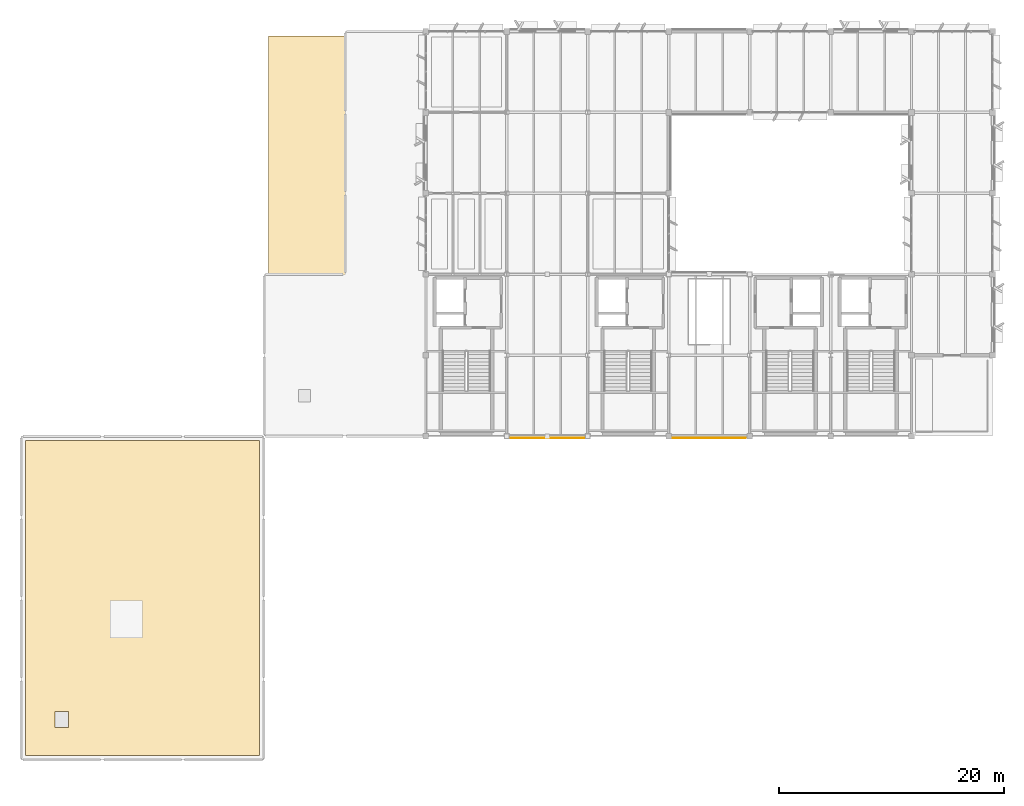
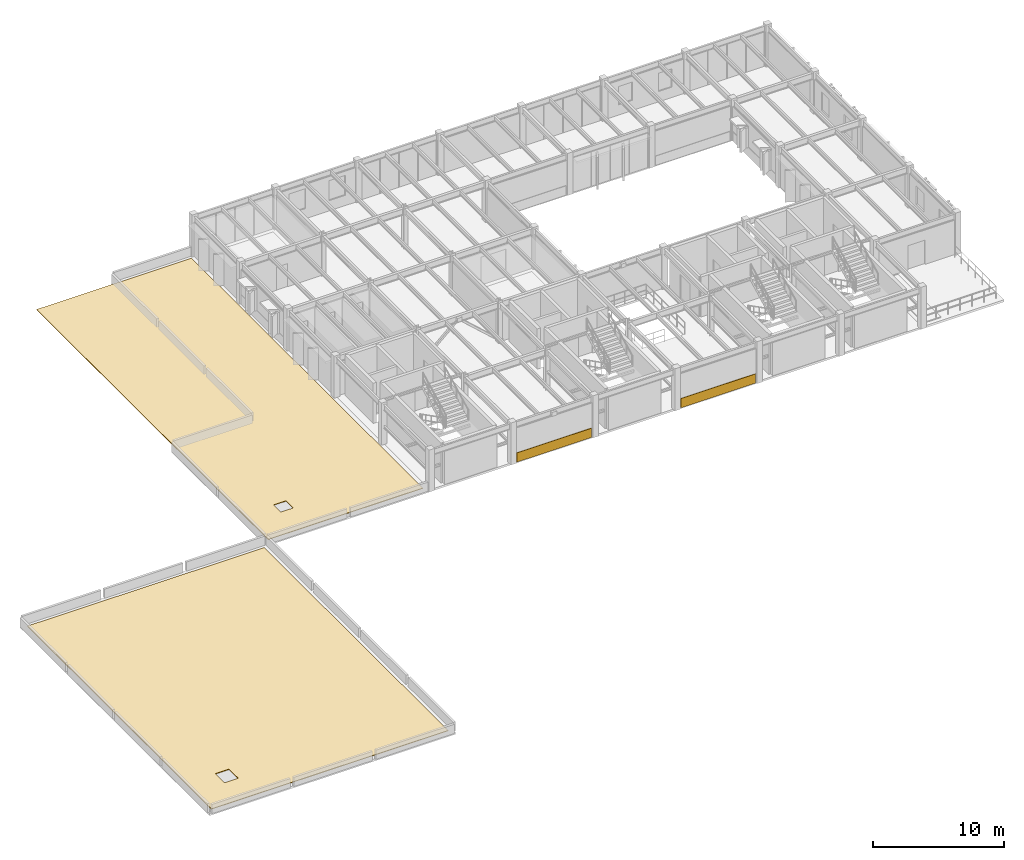
# One storey, part 19 of 23: 4 coverings.
"""IFC4 building model written with IfcOpenShell, lengths in metres."""

from ifc_helpers import new_model, si_unit, direction, frame, frame_2d, origin, place, context, subcontext, project, spatial, polyline, rectangle, outline, extrude, material, layer, layer_set, type_object, element, save


model = new_model("IFC4")

# Units and contexts
model_context = context("Model", 3, precision=1e-05, world=origin(), true_north=direction((0.0, 1.0)))
body_context = subcontext(model_context, "Body", "Model", "MODEL_VIEW")
ifc_project = project(units=[si_unit("LENGTHUNIT", "METRE"), si_unit("AREAUNIT", "SQUARE_METRE"), si_unit("VOLUMEUNIT", "CUBIC_METRE"), si_unit("PLANEANGLEUNIT", "RADIAN"), si_unit("MASSUNIT", "GRAM", prefix="KILO")], contexts=[model_context])

# Site, building, storey
site_placement = place(None, origin())
site = spatial("IfcSite", under=ifc_project, at=site_placement, CompositionType="ELEMENT")
building_placement = place(site_placement, origin())
building = spatial("IfcBuilding", under=site, at=building_placement, Name="Sillqori Civic Hall", CompositionType="ELEMENT")
storey_placement = place(building_placement, frame((0.0, 0.0, 21.89990234375)))
storey = spatial("IfcBuildingStorey", under=building, at=storey_placement, Name="L06", CompositionType="ELEMENT", Elevation=21.89990234375)

# Coverings
ifc_material_1 = material(Name="Cochabamba Honed Limestone Cladding", Category="masonry")
ifc_layer_1 = layer(ifc_material_1, 0.044921875)
ifc_layer_set_1 = layer_set([ifc_layer_1], Name="Cochabamba Honed Limestone Cladding")
covering_type_1 = type_object("IfcCoveringType", Name="COV-CLAD-LIME", PredefinedType="CLADDING", material=ifc_layer_set_1)
for number, where, z_axis, x_axis, name in (
    (1, (64.469970703125, 79.0400390625, 0.0400390625), (0.0, 0.0, 1.0), (-1.0, 0.0, 0.0), "L06 limestone spandrel cladding L06-08-11-S"),
    (2, (78.8701171875, 79.0400390625, 0.0400390625), (0.0, 0.0, 1.0), (-1.0, 0.0, 0.0), "L06 limestone spandrel cladding L06-10-11-S"),
):
    element("IfcCovering", number, at=place(storey_placement, frame(where, z_axis=z_axis, x_axis=x_axis)), inside=storey, type_object=covering_type_1, Name=name, PredefinedType="CLADDING", context=body_context, shape_type="SweptSolid", body=[
        extrude(rectangle(XDim=6.5400390625, YDim=0.044921875, at=frame_2d((3.27001953125, 0.0))), origin(), (0.0, 0.0, 1.0), 0.860107421875),
    ])
ifc_material_2 = material(Name="Insulated Standing-Seam Solar Roof Membrane", Category="membrane")
ifc_layer_2 = layer(ifc_material_2, 0.054931640625)
ifc_layer_set_2 = layer_set([ifc_layer_2], Name="Insulated Standing-Seam Solar Roof Membrane")
covering_type_2 = type_object("IfcCoveringType", Name="COV-ROOF-TPO", PredefinedType="ROOFING", material=ifc_layer_set_2)
covering_1_placement = place(storey_placement, origin())
element("IfcCovering", 3, at=covering_1_placement, inside=storey, type_object=covering_type_2, Name="L06 insulated TPO roof membrane ROOF-FLAT-L05-1", PredefinedType="ROOFING", context=body_context, shape_type="SweptSolid", body=[
    extrude(outline(polyline([(14.800048828125, 50.800048828125), (35.60009765625, 50.800048828125), (35.60009765625, 78.800048828125), (14.800048828125, 78.800048828125), (14.800048828125, 50.800048828125)]), holes=[polyline([(17.39990234375, 53.300048828125), (17.39990234375, 54.699951171875), (18.60009765625, 54.699951171875), (18.60009765625, 53.300048828125), (17.39990234375, 53.300048828125)])]), origin(), (0.0, 0.0, 1.0), 0.05517578125),
])
covering_2_placement = place(storey_placement, origin())
element("IfcCovering", 4, at=covering_2_placement, inside=storey, type_object=covering_type_2, Name="L06 insulated TPO roof membrane ROOF-FLAT-L05-2", PredefinedType="ROOFING", context=body_context, shape_type="SweptSolid", body=[
    extrude(outline(polyline([(36.39990234375, 79.60009765625), (50.0, 79.60009765625), (50.0, 114.800048828125), (36.39990234375, 114.800048828125), (36.39990234375, 79.60009765625)]), holes=[polyline([(39.050048828125, 82.25), (39.050048828125, 83.35009765625), (40.14990234375, 83.35009765625), (40.14990234375, 82.25), (39.050048828125, 82.25)])]), origin(), (0.0, 0.0, 1.0), 0.05517578125),
])

save(model, "model.ifc")
